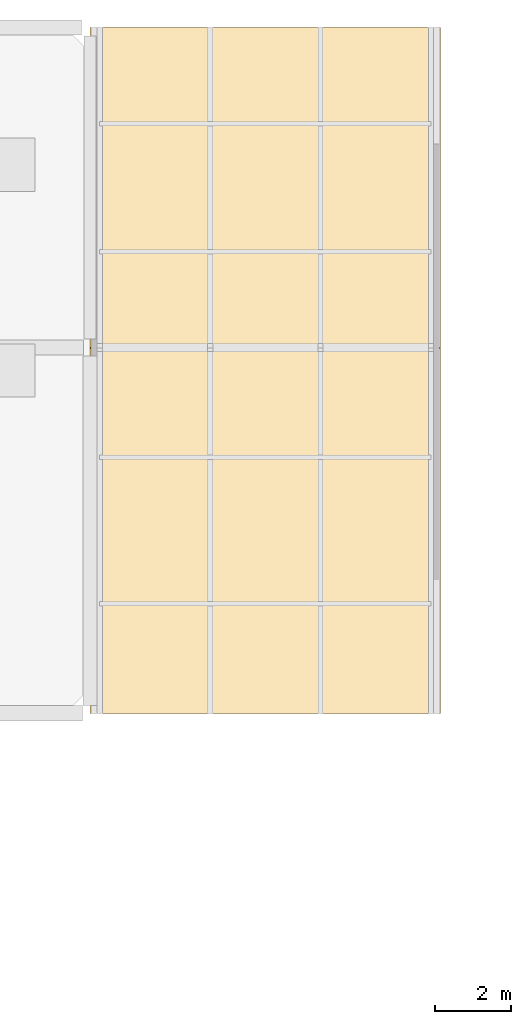
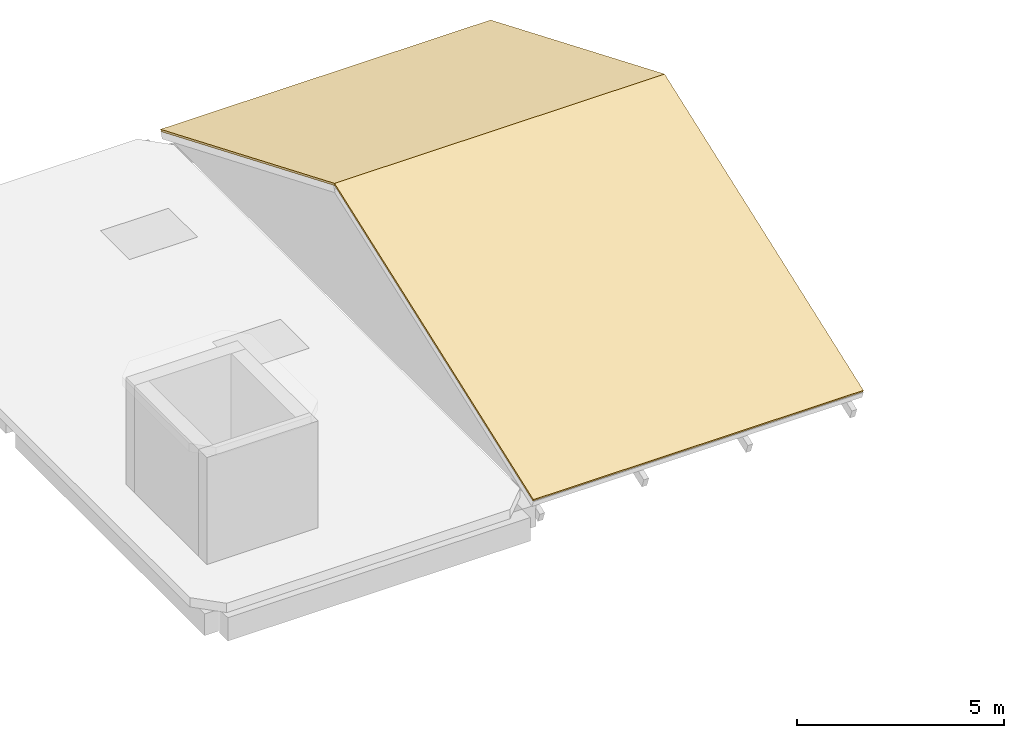
# One storey, part 23 of 23: 2 coverings.
"""IFC4 building model written with IfcOpenShell, lengths in metres."""

from ifc_helpers import new_model, si_unit, direction, frame, origin, place, context, subcontext, project, spatial, polyline, outline, extrude, material, layer, layer_set, type_object, element, save


model = new_model("IFC4")

# Units and contexts
model_context = context("Model", 3, precision=1e-05, world=origin(), true_north=direction((0.0, 1.0)))
body_context = subcontext(model_context, "Body", "Model", "MODEL_VIEW")
ifc_project = project(units=[si_unit("LENGTHUNIT", "METRE"), si_unit("AREAUNIT", "SQUARE_METRE"), si_unit("VOLUMEUNIT", "CUBIC_METRE"), si_unit("PLANEANGLEUNIT", "RADIAN"), si_unit("MASSUNIT", "GRAM", prefix="KILO")], contexts=[model_context])

# Site, building, storey
site_placement = place(None, origin())
site = spatial("IfcSite", under=ifc_project, at=site_placement, CompositionType="ELEMENT")
building_placement = place(site_placement, origin())
building = spatial("IfcBuilding", under=site, at=building_placement, Name="Birchvale Park Specialist Clinic", CompositionType="ELEMENT")
storey_placement = place(building_placement, frame((0.0, 0.0, 18.0)))
storey = spatial("IfcBuildingStorey", under=building, at=storey_placement, Name="L04", CompositionType="ELEMENT", Elevation=18.0)

# Coverings
ifc_material = material(Name="Standing-seam titanium-zinc roofing")
ifc_layer = layer(ifc_material, 0.06005859375)
ifc_layer_set = layer_set([ifc_layer], Name="Standing-seam titanium-zinc roofing")
covering_type = type_object("IfcCoveringType", Name="COV-RF1", PredefinedType="ROOFING", material=ifc_layer_set)
covering_1_placement = place(storey_placement, frame((137.199951171875, 73.199951171875, 0.06005859375), z_axis=(0.0, -0.342525648262, 0.939508478026), x_axis=(1.0, 0.0, 0.0)))
element("IfcCovering", 1, at=covering_1_placement, inside=storey, type_object=covering_type, Name="L04 standing-seam zinc roof V6-L04-NL1 S", PredefinedType="ROOFING", context=body_context, shape_type="SweptSolid", body=[
    extrude(outline(polyline([(0.0, 0.0), (9.199951171875, 0.0), (9.199951171875, 10.21821290684123), (0.0, 10.21821290684123), (0.0, 0.0)])), origin(), (0.0, 0.0, -1.0), 0.06005859375),
])
covering_2_placement = place(storey_placement, frame((137.199951171875, 82.800048828125, 3.56005859375), z_axis=(0.0, 0.384619194634, 0.92307533556), x_axis=(1.0, 0.0, 0.0)))
element("IfcCovering", 2, at=covering_2_placement, inside=storey, type_object=covering_type, Name="L04 standing-seam zinc roof V6-L04-NL1 N", PredefinedType="ROOFING", context=body_context, shape_type="SweptSolid", body=[
    extrude(outline(polyline([(0.0, 0.0), (9.199951171875, 0.0), (9.199951171875, 9.099909855846745), (0.0, 9.099909855846745), (0.0, 0.0)])), origin(), (0.0, 0.0, -1.0), 0.06005859375),
])

save(model, "model.ifc")
